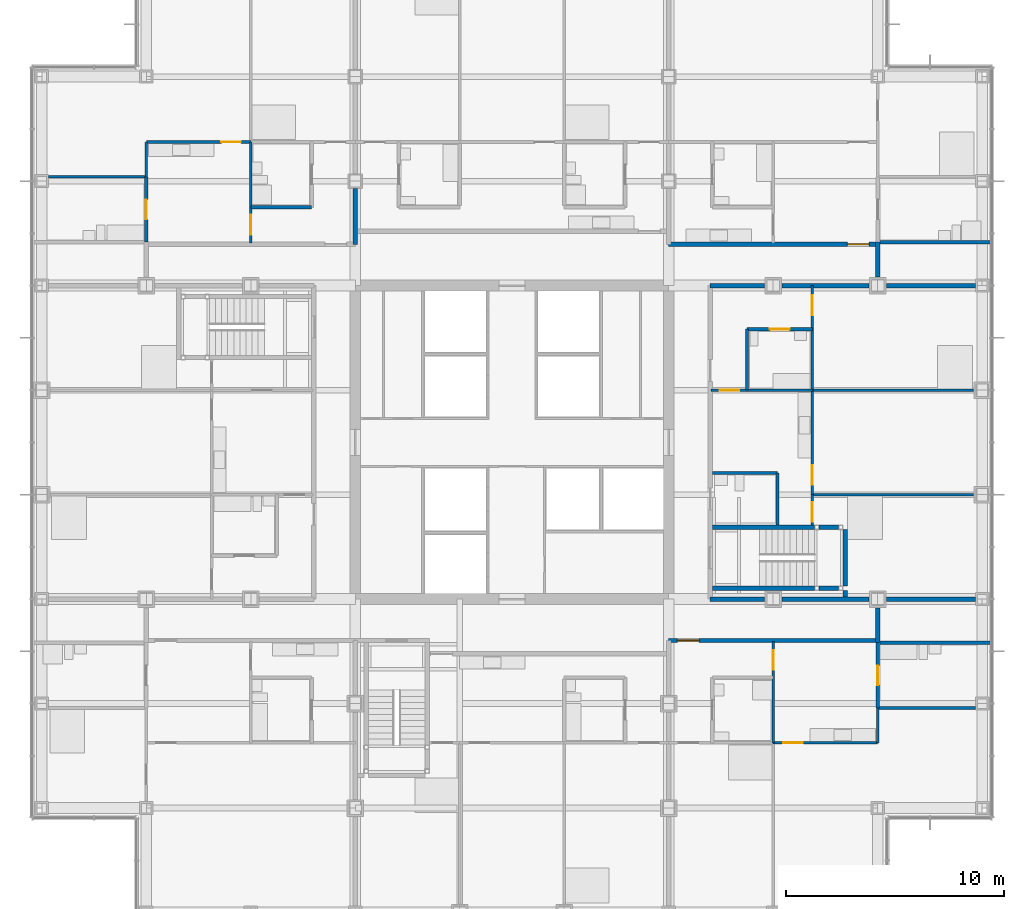
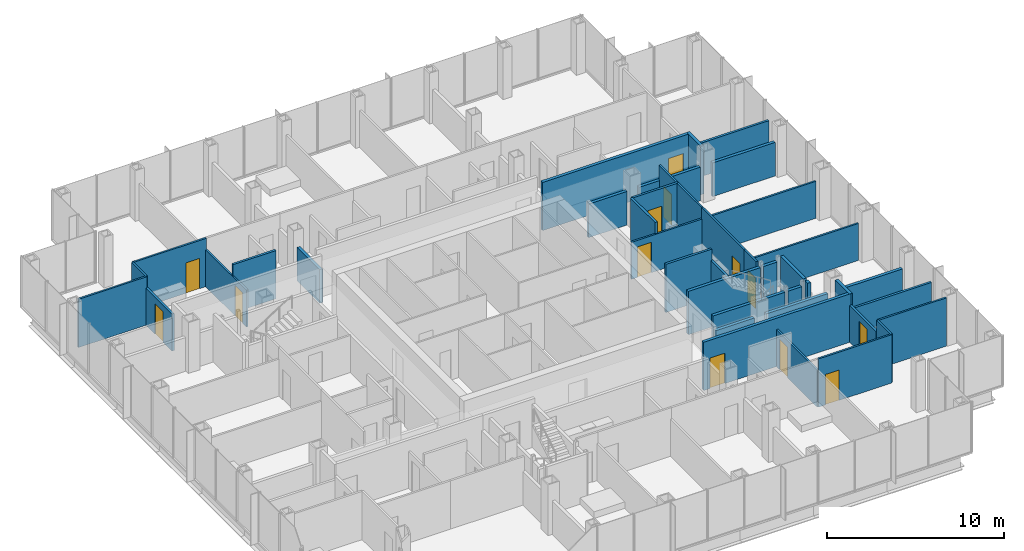
# One storey, part 16 of 21: 40 walls, 13 doors, 13 openings.
"""IFC4 building model written with IfcOpenShell, lengths in metres."""

from ifc_helpers import new_model, si_unit, direction, frame, frame_2d, origin, place, context, subcontext, project, spatial, rectangle, extrude, material, layer, layer_set, type_object, element, fill, save


model = new_model("IFC4")

# Units and contexts
model_context = context("Model", 3, precision=1e-05, world=origin(), true_north=direction((0.0, 1.0)))
body_context = subcontext(model_context, "Body", "Model", "MODEL_VIEW")
ifc_project = project(units=[si_unit("LENGTHUNIT", "METRE"), si_unit("AREAUNIT", "SQUARE_METRE"), si_unit("VOLUMEUNIT", "CUBIC_METRE"), si_unit("PLANEANGLEUNIT", "RADIAN"), si_unit("MASSUNIT", "GRAM", prefix="KILO")], contexts=[model_context])

# Site, building, storey
site_placement = place(None, origin())
site = spatial("IfcSite", under=ifc_project, at=site_placement, CompositionType="ELEMENT")
building_placement = place(site_placement, origin())
building = spatial("IfcBuilding", under=site, at=building_placement, Name="Kvirike Care Tower", CompositionType="ELEMENT")
storey_placement = place(building_placement, frame((0.0, 0.0, 62.0)))
storey = spatial("IfcBuildingStorey", under=building, at=storey_placement, Name="L16", CompositionType="ELEMENT", Elevation=62.0)

# Wall
ifc_material_1 = material(Name="Moisture-resistant board partition", Category="gypsum")
ifc_layer_1 = layer(ifc_material_1, 0.14990234375)
ifc_layer_set_1 = layer_set([ifc_layer_1], Name="BATHROOM WALL 150")
wall_type_1 = type_object("IfcWallType", Name="BATHROOM WALL 150", PredefinedType="PARTITIONING", material=ifc_layer_set_1)
wall_1_placement = place(storey_placement, frame((12.39990234375, 46.800048828125, 0.0), z_axis=(0.0, 0.0, 1.0), x_axis=(-1.0, 0.0, 0.0)))
element("IfcWall", 1, at=wall_1_placement, inside=storey, type_object=wall_type_1, Name="Bathroom Wall 150 L16", PredefinedType="PARTITIONING", context=body_context, shape_type="SweptSolid", body=[
    extrude(rectangle(XDim=2.7998046875, YDim=0.14990234375, at=frame_2d((1.39990234375, 0.0))), origin(), (0.0, 0.0, 1.0), 3.330078125),
])

# Wall, opening, door
wall_2_placement = place(storey_placement, frame((4.800048828125, 48.199951171875, 0.0), z_axis=(0.0, 0.0, 1.0), x_axis=(0.0, -1.0, 0.0)))
wall_2 = element("IfcWall", 2, at=wall_2_placement, inside=storey, type_object=wall_type_1, Name="Bathroom Wall 150 L16", PredefinedType="PARTITIONING", context=body_context, shape_type="SweptSolid", body=[
    extrude(rectangle(XDim=3.0, YDim=0.14990234375, at=frame_2d((1.5, 0.0))), origin(), (0.0, 0.0, 1.0), 2.550048828125),
])
opening_1_placement = place(wall_2_placement, frame((1.050048828125, 0.0, 0.0)))
opening_1 = element("IfcOpeningElement", 3, at=opening_1_placement, cuts=wall_2, Name="Opening 16-016", PredefinedType="OPENING", context=body_context, shape_type="SweptSolid", body=[
    extrude(rectangle(XDim=0.89990234375, YDim=2.10009765625, at=frame_2d((0.449951171875, 1.050048828125))), frame((0.0, 0.08544921875, 0.0), z_axis=(0.0, -1.0, 0.0), x_axis=(1.0, 0.0, 0.0)), (0.0, 0.0, 1.0), 0.1708984375),
])
ifc_material_2 = material(Name="Timber door set", Category="wood")
door_type_1 = type_object("IfcDoorType", Name="BATHROOM DOOR 900", OperationType="SINGLE_SWING_RIGHT", PredefinedType="DOOR", material=ifc_material_2)
door_1_placement = place(opening_1_placement, frame((0.89990234375, 0.0, 0.0), z_axis=(0.0, 0.0, 1.0), x_axis=(-1.0, 0.0, 0.0)))
door_1 = element("IfcDoor", 4, at=door_1_placement, inside=storey, type_object=door_type_1, Name="Bathroom door", OperationType="SINGLE_SWING_RIGHT", OverallHeight=2.10009765625, OverallWidth=0.89990234375, PredefinedType="DOOR", context=body_context, shape_type="SweptSolid", body=[
    extrude(rectangle(XDim=0.89990234375, YDim=2.10009765625, at=frame_2d((0.449951171875, 1.050048828125))), frame((0.0, 0.02197265625, 0.0), z_axis=(0.0, -1.0, 0.0), x_axis=(1.0, 0.0, 0.0)), (0.0, 0.0, 1.0), 0.0439453125),
])
fill(opening_1, door_1)

wall_3_placement = place(storey_placement, frame((38.39990234375, 23.800048828125, 0.0), z_axis=(0.0, 0.0, 1.0), x_axis=(0.0, 1.0, 0.0)))
wall_3 = element("IfcWall", 5, at=wall_3_placement, inside=storey, type_object=wall_type_1, Name="Bathroom Wall 150 L16", PredefinedType="PARTITIONING", context=body_context, shape_type="SweptSolid", body=[
    extrude(rectangle(XDim=3.0, YDim=0.14990234375, at=frame_2d((1.5, 0.0))), origin(), (0.0, 0.0, 1.0), 2.550048828125),
])
opening_2_placement = place(wall_3_placement, frame((1.050048828125, 0.0, 0.0)))
opening_2 = element("IfcOpeningElement", 6, at=opening_2_placement, cuts=wall_3, Name="Opening 16-034", PredefinedType="OPENING", context=body_context, shape_type="SweptSolid", body=[
    extrude(rectangle(XDim=0.89990234375, YDim=2.10009765625, at=frame_2d((0.449951171875, 1.050048828125))), frame((0.0, 0.08544921875, 0.0), z_axis=(0.0, -1.0, 0.0), x_axis=(1.0, 0.0, 0.0)), (0.0, 0.0, 1.0), 0.1708984375),
])
door_2_placement = place(opening_2_placement, frame((0.89990234375, 0.0, 0.0), z_axis=(0.0, 0.0, 1.0), x_axis=(-1.0, 0.0, 0.0)))
door_2 = element("IfcDoor", 7, at=door_2_placement, inside=storey, type_object=door_type_1, Name="Bathroom door", OperationType="SINGLE_SWING_RIGHT", OverallHeight=2.10009765625, OverallWidth=0.89990234375, PredefinedType="DOOR", context=body_context, shape_type="SweptSolid", body=[
    extrude(rectangle(XDim=0.89990234375, YDim=2.10009765625, at=frame_2d((0.449951171875, 1.050048828125))), frame((0.0, 0.02197265625, 0.0), z_axis=(0.0, -1.0, 0.0), x_axis=(1.0, 0.0, 0.0)), (0.0, 0.0, 1.0), 0.0439453125),
])
fill(opening_2, door_2)

# Walls
wall_4_placement = place(storey_placement, frame((33.800048828125, 32.199951171875, 0.0), z_axis=(0.0, 0.0, 1.0), x_axis=(0.0, 1.0, 0.0)))
element("IfcWall", 8, at=wall_4_placement, inside=storey, type_object=wall_type_1, Name="Bathroom Wall 150 L16", PredefinedType="PARTITIONING", context=body_context, shape_type="SweptSolid", body=[
    extrude(rectangle(XDim=2.400146484375, YDim=0.14990234375, at=frame_2d((1.2001953125, 0.0))), origin(), (0.0, 0.0, 1.0), 2.550048828125),
])
wall_5_placement = place(storey_placement, frame((33.800048828125, 34.60009765625, 0.0), z_axis=(0.0, 0.0, 1.0), x_axis=(-1.0, 0.0, 0.0)))
element("IfcWall", 9, at=wall_5_placement, inside=storey, type_object=wall_type_1, Name="Bathroom Wall 150 L16", PredefinedType="PARTITIONING", context=body_context, shape_type="SweptSolid", body=[
    extrude(rectangle(XDim=3.0, YDim=0.14990234375, at=frame_2d((1.5, 0.0))), origin(), (0.0, 0.0, 1.0), 3.330078125),
])

# Wall, opening, door
wall_6_placement = place(storey_placement, frame((35.39990234375, 41.199951171875, 0.0), z_axis=(0.0, 0.0, 1.0), x_axis=(-1.0, 0.0, 0.0)))
wall_6 = element("IfcWall", 10, at=wall_6_placement, inside=storey, type_object=wall_type_1, Name="Bathroom Wall 150 L16", PredefinedType="PARTITIONING", context=body_context, shape_type="SweptSolid", body=[
    extrude(rectangle(XDim=3.0, YDim=0.14990234375, at=frame_2d((1.5, 0.0))), origin(), (0.0, 0.0, 1.0), 3.330078125),
])
opening_3_placement = place(wall_6_placement, frame((1.050048828125, 0.0, 0.0)))
opening_3 = element("IfcOpeningElement", 11, at=opening_3_placement, cuts=wall_6, Name="Opening 16-039", PredefinedType="OPENING", context=body_context, shape_type="SweptSolid", body=[
    extrude(rectangle(XDim=0.89990234375, YDim=2.10009765625, at=frame_2d((0.449951171875, 1.050048828125))), frame((0.0, 0.08544921875, 0.0), z_axis=(0.0, -1.0, 0.0), x_axis=(1.0, 0.0, 0.0)), (0.0, 0.0, 1.0), 0.1708984375),
])
door_3_placement = place(opening_3_placement, origin())
door_3 = element("IfcDoor", 12, at=door_3_placement, inside=storey, type_object=door_type_1, Name="Bathroom door", OperationType="SINGLE_SWING_LEFT", OverallHeight=2.10009765625, OverallWidth=0.89990234375, PredefinedType="DOOR", context=body_context, shape_type="SweptSolid", body=[
    extrude(rectangle(XDim=0.89990234375, YDim=2.10009765625, at=frame_2d((0.449951171875, 1.050048828125))), frame((0.0, 0.02197265625, 0.0), z_axis=(0.0, -1.0, 0.0), x_axis=(1.0, 0.0, 0.0)), (0.0, 0.0, 1.0), 0.0439453125),
])
fill(opening_3, door_3)

# Walls
wall_7_placement = place(storey_placement, frame((32.39990234375, 38.39990234375, 0.0), z_axis=(0.0, 0.0, 1.0), x_axis=(0.0, 1.0, 0.0)))
element("IfcWall", 13, at=wall_7_placement, inside=storey, type_object=wall_type_1, Name="Bathroom Wall 150 L16", PredefinedType="PARTITIONING", context=body_context, shape_type="SweptSolid", body=[
    extrude(rectangle(XDim=2.800048828125, YDim=0.14990234375, at=frame_2d((1.39990234375, 0.0))), origin(), (0.0, 0.0, 1.0), 3.330078125),
])
for number, where, z_axis, x_axis, name in (
    (14, (38.5, 26.800048828125, 0.0), (0.0, 0.0, 1.0), (1.0, 0.0, 0.0), "Bathroom Wall 150 L16"),
    (15, (43.6298828125, 45.199951171875, 0.0), (0.0, 0.0, 1.0), (-1.0, 0.0, 0.0), "Bathroom Wall 150 L16"),
):
    element("IfcWall", number, at=place(storey_placement, frame(where, z_axis=z_axis, x_axis=x_axis)), inside=storey, type_object=wall_type_1, Name=name, PredefinedType="PARTITIONING", context=body_context, shape_type="SweptSolid", body=[
        extrude(rectangle(XDim=5.1298828125, YDim=0.14990234375, at=frame_2d((2.56494140625, 0.0))), origin(), (0.0, 0.0, 1.0), 2.320068359375),
    ])

# Wall, opening, door
ifc_material_3 = material(Name="Plasterboard corridor wall", Category="gypsum")
ifc_layer_2 = layer(ifc_material_3, 0.199951171875)
ifc_layer_set_2 = layer_set([ifc_layer_2], Name="CORRIDOR WALL 200")
wall_type_2 = type_object("IfcWallType", Name="CORRIDOR WALL 200", PredefinedType="PARTITIONING", material=ifc_layer_set_2)
wall_8_placement = place(storey_placement, frame((28.800048828125, 26.89990234375, 0.0), z_axis=(0.0, 0.0, 1.0), x_axis=(1.0, 0.0, 0.0)))
wall_8 = element("IfcWall", 16, at=wall_8_placement, inside=storey, type_object=wall_type_2, Name="Corridor Wall 200 L16", PredefinedType="PARTITIONING", context=body_context, shape_type="SweptSolid", body=[
    extrude(rectangle(XDim=9.599853515625, YDim=0.199951171875, at=frame_2d((4.7998046875, 0.0))), origin(), (0.0, 0.0, 1.0), 3.330078125),
])
opening_4_placement = place(wall_8_placement, frame((0.39990234375, 0.0, 0.0)))
opening_4 = element("IfcOpeningElement", 17, at=opening_4_placement, cuts=wall_8, Name="Opening 16-038", PredefinedType="OPENING", context=body_context, shape_type="SweptSolid", body=[
    extrude(rectangle(XDim=1.0, YDim=2.10009765625, at=frame_2d((0.5, 1.050048828125))), frame((0.0, 0.110595703125, 0.0), z_axis=(0.0, -1.0, 0.0), x_axis=(1.0, 0.0, 0.0)), (0.0, 0.0, 1.0), 0.220947265625),
])
ifc_material_4 = material(Name="Timber door set", Category="wood")
door_type_2 = type_object("IfcDoorType", Name="FLAT ENTRANCE DOOR 1000", OperationType="SINGLE_SWING_LEFT", PredefinedType="DOOR", material=ifc_material_4)
door_4_placement = place(opening_4_placement, frame((1.0, 0.0, 0.0), z_axis=(0.0, 0.0, 1.0), x_axis=(-1.0, 0.0, 0.0)))
door_4 = element("IfcDoor", 18, at=door_4_placement, inside=storey, type_object=door_type_2, Name="One-bedroom apartment entrance", OperationType="SINGLE_SWING_LEFT", OverallHeight=2.10009765625, OverallWidth=1.0, PredefinedType="DOOR", context=body_context, shape_type="SweptSolid", body=[
    extrude(rectangle(XDim=1.0, YDim=2.10009765625, at=frame_2d((0.5, 1.050048828125))), frame((0.0, 0.02685546875, 0.0), z_axis=(0.0, -1.0, 0.0), x_axis=(1.0, 0.0, 0.0)), (0.0, 0.0, 1.0), 0.053955078125),
])
fill(opening_4, door_4)

# Wall
wall_9_placement = place(storey_placement, frame((38.39990234375, 26.800048828125, 0.0), z_axis=(0.0, 0.0, 1.0), x_axis=(0.0, 1.0, 0.0)))
element("IfcWall", 19, at=wall_9_placement, inside=storey, type_object=wall_type_2, Name="Corridor Wall 200 L16", PredefinedType="PARTITIONING", context=body_context, shape_type="SweptSolid", body=[
    extrude(rectangle(XDim=1.60498046875, YDim=0.199951171875, at=frame_2d((0.802490234375, 0.0))), origin(), (0.0, 0.0, 1.0), 3.330078125),
])

# Wall, opening, door
wall_10_placement = place(storey_placement, frame((38.39990234375, 45.10009765625, 0.0), z_axis=(0.0, 0.0, 1.0), x_axis=(-1.0, 0.0, 0.0)))
wall_10 = element("IfcWall", 20, at=wall_10_placement, inside=storey, type_object=wall_type_2, Name="Corridor Wall 200 L16", PredefinedType="PARTITIONING", context=body_context, shape_type="SweptSolid", body=[
    extrude(rectangle(XDim=9.599853515625, YDim=0.199951171875, at=frame_2d((4.7998046875, 0.0))), origin(), (0.0, 0.0, 1.0), 3.330078125),
])
opening_5_placement = place(wall_10_placement, frame((0.39990234375, 0.0, 0.0)))
opening_5 = element("IfcOpeningElement", 21, at=opening_5_placement, cuts=wall_10, Name="Opening 16-052", PredefinedType="OPENING", context=body_context, shape_type="SweptSolid", body=[
    extrude(rectangle(XDim=1.0, YDim=2.10009765625, at=frame_2d((0.5, 1.050048828125))), frame((0.0, 0.110595703125, 0.0), z_axis=(0.0, -1.0, 0.0), x_axis=(1.0, 0.0, 0.0)), (0.0, 0.0, 1.0), 0.220947265625),
])
door_5_placement = place(opening_5_placement, frame((1.0, 0.0, 0.0), z_axis=(0.0, 0.0, 1.0), x_axis=(-1.0, 0.0, 0.0)))
door_5 = element("IfcDoor", 22, at=door_5_placement, inside=storey, type_object=door_type_2, Name="One-bedroom apartment entrance", OperationType="SINGLE_SWING_LEFT", OverallHeight=2.10009765625, OverallWidth=1.0, PredefinedType="DOOR", context=body_context, shape_type="SweptSolid", body=[
    extrude(rectangle(XDim=1.0, YDim=2.10009765625, at=frame_2d((0.5, 1.050048828125))), frame((0.0, 0.02685546875, 0.0), z_axis=(0.0, -1.0, 0.0), x_axis=(1.0, 0.0, 0.0)), (0.0, 0.0, 1.0), 0.053955078125),
])
fill(opening_5, door_5)

# Wall
wall_11_placement = place(storey_placement, frame((38.39990234375, 45.199951171875, 0.0), z_axis=(0.0, 0.0, 1.0), x_axis=(0.0, -1.0, 0.0)))
element("IfcWall", 23, at=wall_11_placement, inside=storey, type_object=wall_type_2, Name="Corridor Wall 200 L16", PredefinedType="PARTITIONING", context=body_context, shape_type="SweptSolid", body=[
    extrude(rectangle(XDim=1.60498046875, YDim=0.199951171875, at=frame_2d((0.802490234375, 0.0))), origin(), (0.0, 0.0, 1.0), 3.330078125),
])

# Wall, opening, door
ifc_material_5 = material(Name="Plasterboard partition", Category="gypsum")
ifc_layer_3 = layer(ifc_material_5, 0.1201171875)
ifc_layer_set_3 = layer_set([ifc_layer_3], Name="PARTITION 120")
wall_type_3 = type_object("IfcWallType", Name="PARTITION 120", PredefinedType="PARTITIONING", material=ifc_layer_set_3)
wall_12_placement = place(storey_placement, frame((9.60009765625, 49.800048828125, 0.0), z_axis=(0.0, 0.0, 1.0), x_axis=(0.0, -1.0, 0.0)))
wall_12 = element("IfcWall", 24, at=wall_12_placement, inside=storey, type_object=wall_type_3, Name="Partition 120 L16", PredefinedType="PARTITIONING", context=body_context, shape_type="SweptSolid", body=[
    extrude(rectangle(XDim=4.650146484375, YDim=0.1201171875, at=frame_2d((2.3251953125, 0.0))), origin(), (0.0, 0.0, 1.0), 2.550048828125),
])
opening_6_placement = place(wall_12_placement, frame((3.35009765625, 0.0, 0.0)))
opening_6 = element("IfcOpeningElement", 25, at=opening_6_placement, cuts=wall_12, Name="Opening 16-017", PredefinedType="OPENING", context=body_context, shape_type="SweptSolid", body=[
    extrude(rectangle(XDim=0.89990234375, YDim=2.10009765625, at=frame_2d((0.449951171875, 1.050048828125))), frame((0.0, 0.070556640625, 0.0), z_axis=(0.0, -1.0, 0.0), x_axis=(1.0, 0.0, 0.0)), (0.0, 0.0, 1.0), 0.14111328125),
])
ifc_material_6 = material(Name="Timber door set", Category="wood")
door_type_3 = type_object("IfcDoorType", Name="INTERNAL DOOR 900", OperationType="SINGLE_SWING_LEFT", PredefinedType="DOOR", material=ifc_material_6)
door_6_placement = place(opening_6_placement, origin())
door_6 = element("IfcDoor", 26, at=door_6_placement, inside=storey, type_object=door_type_3, Name="Hall door", OperationType="SINGLE_SWING_LEFT", OverallHeight=2.10009765625, OverallWidth=0.89990234375, PredefinedType="DOOR", context=body_context, shape_type="SweptSolid", body=[
    extrude(rectangle(XDim=0.89990234375, YDim=2.10009765625, at=frame_2d((0.449951171875, 1.050048828125))), frame((0.0, 0.02197265625, 0.0), z_axis=(0.0, -1.0, 0.0), x_axis=(1.0, 0.0, 0.0)), (0.0, 0.0, 1.0), 0.0439453125),
])
fill(opening_6, door_6)

wall_13_placement = place(storey_placement, frame((9.60009765625, 49.800048828125, 0.0), z_axis=(0.0, 0.0, 1.0), x_axis=(-1.0, 0.0, 0.0)))
wall_13 = element("IfcWall", 27, at=wall_13_placement, inside=storey, type_object=wall_type_3, Name="Partition 120 L16", PredefinedType="PARTITIONING", context=body_context, shape_type="SweptSolid", body=[
    extrude(rectangle(XDim=4.800048828125, YDim=0.1201171875, at=frame_2d((2.39990234375, 0.0))), origin(), (0.0, 0.0, 1.0), 3.330078125),
])
opening_7_placement = place(wall_13_placement, frame((0.449951171875, 0.0, 0.0)))
opening_7 = element("IfcOpeningElement", 28, at=opening_7_placement, cuts=wall_13, Name="Opening 16-019", PredefinedType="OPENING", context=body_context, shape_type="SweptSolid", body=[
    extrude(rectangle(XDim=0.89990234375, YDim=2.10009765625, at=frame_2d((0.449951171875, 1.050048828125))), frame((0.0, 0.070556640625, 0.0), z_axis=(0.0, -1.0, 0.0), x_axis=(1.0, 0.0, 0.0)), (0.0, 0.0, 1.0), 0.14111328125),
])
door_7_placement = place(opening_7_placement, origin())
door_7 = element("IfcDoor", 29, at=door_7_placement, inside=storey, type_object=door_type_3, Name="Apartment living and dining room door", OperationType="SINGLE_SWING_RIGHT", OverallHeight=2.10009765625, OverallWidth=0.89990234375, PredefinedType="DOOR", context=body_context, shape_type="SweptSolid", body=[
    extrude(rectangle(XDim=0.89990234375, YDim=2.10009765625, at=frame_2d((0.449951171875, 1.050048828125))), frame((0.0, 0.02197265625, 0.0), z_axis=(0.0, -1.0, 0.0), x_axis=(1.0, 0.0, 0.0)), (0.0, 0.0, 1.0), 0.0439453125),
])
fill(opening_7, door_7)

# Walls
wall_14_placement = place(storey_placement, frame((4.800048828125, 48.199951171875, 0.0), z_axis=(0.0, 0.0, 1.0), x_axis=(-1.0, 0.0, 0.0)))
element("IfcWall", 30, at=wall_14_placement, inside=storey, type_object=wall_type_3, Name="Partition 120 L16", PredefinedType="PARTITIONING", context=body_context, shape_type="SweptSolid", body=[
    extrude(rectangle(XDim=4.47998046875, YDim=0.1201171875, at=frame_2d((2.239990234375, 0.0))), origin(), (0.0, 0.0, 1.0), 3.330078125),
])
wall_15_placement = place(storey_placement, frame((4.800048828125, 49.800048828125, 0.0), z_axis=(0.0, 0.0, 1.0), x_axis=(0.0, -1.0, 0.0)))
element("IfcWall", 31, at=wall_15_placement, inside=storey, type_object=wall_type_3, Name="Partition 120 L16", PredefinedType="PARTITIONING", context=body_context, shape_type="SweptSolid", body=[
    extrude(rectangle(XDim=1.60009765625, YDim=0.1201171875, at=frame_2d((0.800048828125, 0.0))), origin(), (0.0, 0.0, 1.0), 3.330078125),
])

# Wall, opening, door
wall_16_placement = place(storey_placement, frame((33.60009765625, 22.199951171875, 0.0), z_axis=(0.0, 0.0, 1.0), x_axis=(0.0, 1.0, 0.0)))
wall_16 = element("IfcWall", 32, at=wall_16_placement, inside=storey, type_object=wall_type_3, Name="Partition 120 L16", PredefinedType="PARTITIONING", context=body_context, shape_type="SweptSolid", body=[
    extrude(rectangle(XDim=4.650146484375, YDim=0.1201171875, at=frame_2d((2.3251953125, 0.0))), origin(), (0.0, 0.0, 1.0), 2.550048828125),
])
opening_8_placement = place(wall_16_placement, frame((3.35009765625, 0.0, 0.0)))
opening_8 = element("IfcOpeningElement", 33, at=opening_8_placement, cuts=wall_16, Name="Opening 16-035", PredefinedType="OPENING", context=body_context, shape_type="SweptSolid", body=[
    extrude(rectangle(XDim=0.89990234375, YDim=2.10009765625, at=frame_2d((0.449951171875, 1.050048828125))), frame((0.0, 0.070556640625, 0.0), z_axis=(0.0, -1.0, 0.0), x_axis=(1.0, 0.0, 0.0)), (0.0, 0.0, 1.0), 0.14111328125),
])
door_8_placement = place(opening_8_placement, origin())
door_8 = element("IfcDoor", 34, at=door_8_placement, inside=storey, type_object=door_type_3, Name="Hall door", OperationType="SINGLE_SWING_LEFT", OverallHeight=2.10009765625, OverallWidth=0.89990234375, PredefinedType="DOOR", context=body_context, shape_type="SweptSolid", body=[
    extrude(rectangle(XDim=0.89990234375, YDim=2.10009765625, at=frame_2d((0.449951171875, 1.050048828125))), frame((0.0, 0.02197265625, 0.0), z_axis=(0.0, -1.0, 0.0), x_axis=(1.0, 0.0, 0.0)), (0.0, 0.0, 1.0), 0.0439453125),
])
fill(opening_8, door_8)

wall_17_placement = place(storey_placement, frame((33.60009765625, 22.199951171875, 0.0), z_axis=(0.0, 0.0, 1.0), x_axis=(1.0, 0.0, 0.0)))
wall_17 = element("IfcWall", 35, at=wall_17_placement, inside=storey, type_object=wall_type_3, Name="Partition 120 L16", PredefinedType="PARTITIONING", context=body_context, shape_type="SweptSolid", body=[
    extrude(rectangle(XDim=4.7998046875, YDim=0.1201171875, at=frame_2d((2.39990234375, 0.0))), origin(), (0.0, 0.0, 1.0), 3.330078125),
])
opening_9_placement = place(wall_17_placement, frame((0.449951171875, 0.0, 0.0)))
opening_9 = element("IfcOpeningElement", 36, at=opening_9_placement, cuts=wall_17, Name="Opening 16-037", PredefinedType="OPENING", context=body_context, shape_type="SweptSolid", body=[
    extrude(rectangle(XDim=0.89990234375, YDim=2.10009765625, at=frame_2d((0.449951171875, 1.050048828125))), frame((0.0, 0.070556640625, 0.0), z_axis=(0.0, -1.0, 0.0), x_axis=(1.0, 0.0, 0.0)), (0.0, 0.0, 1.0), 0.14111328125),
])
door_9_placement = place(opening_9_placement, origin())
door_9 = element("IfcDoor", 37, at=door_9_placement, inside=storey, type_object=door_type_3, Name="Apartment living and dining room door", OperationType="SINGLE_SWING_RIGHT", OverallHeight=2.10009765625, OverallWidth=0.89990234375, PredefinedType="DOOR", context=body_context, shape_type="SweptSolid", body=[
    extrude(rectangle(XDim=0.89990234375, YDim=2.10009765625, at=frame_2d((0.449951171875, 1.050048828125))), frame((0.0, 0.02197265625, 0.0), z_axis=(0.0, -1.0, 0.0), x_axis=(1.0, 0.0, 0.0)), (0.0, 0.0, 1.0), 0.0439453125),
])
fill(opening_9, door_9)

# Walls
wall_18_placement = place(storey_placement, frame((38.39990234375, 23.800048828125, 0.0), z_axis=(0.0, 0.0, 1.0), x_axis=(1.0, 0.0, 0.0)))
element("IfcWall", 38, at=wall_18_placement, inside=storey, type_object=wall_type_3, Name="Partition 120 L16", PredefinedType="PARTITIONING", context=body_context, shape_type="SweptSolid", body=[
    extrude(rectangle(XDim=4.47998046875, YDim=0.1201171875, at=frame_2d((2.239990234375, 0.0))), origin(), (0.0, 0.0, 1.0), 3.330078125),
])
wall_19_placement = place(storey_placement, frame((38.39990234375, 22.199951171875, 0.0), z_axis=(0.0, 0.0, 1.0), x_axis=(0.0, 1.0, 0.0)))
element("IfcWall", 39, at=wall_19_placement, inside=storey, type_object=wall_type_3, Name="Partition 120 L16", PredefinedType="PARTITIONING", context=body_context, shape_type="SweptSolid", body=[
    extrude(rectangle(XDim=1.60009765625, YDim=0.1201171875, at=frame_2d((0.800048828125, 0.0))), origin(), (0.0, 0.0, 1.0), 3.330078125),
])

# Wall, opening, door
wall_20_placement = place(storey_placement, frame((35.39990234375, 38.39990234375, 0.0), z_axis=(0.0, 0.0, 1.0), x_axis=(-1.0, 0.0, 0.0)))
wall_20 = element("IfcWall", 40, at=wall_20_placement, inside=storey, type_object=wall_type_3, Name="Partition 120 L16", PredefinedType="PARTITIONING", context=body_context, shape_type="SweptSolid", body=[
    extrude(rectangle(XDim=4.64990234375, YDim=0.1201171875, at=frame_2d((2.324951171875, 0.0))), origin(), (0.0, 0.0, 1.0), 2.550048828125),
])
opening_10_placement = place(wall_20_placement, frame((3.35009765625, 0.0, 0.0)))
opening_10 = element("IfcOpeningElement", 41, at=opening_10_placement, cuts=wall_20, Name="Opening 16-040", PredefinedType="OPENING", context=body_context, shape_type="SweptSolid", body=[
    extrude(rectangle(XDim=0.89990234375, YDim=2.10009765625, at=frame_2d((0.449951171875, 1.050048828125))), frame((0.0, 0.070556640625, 0.0), z_axis=(0.0, -1.0, 0.0), x_axis=(1.0, 0.0, 0.0)), (0.0, 0.0, 1.0), 0.14111328125),
])
door_10_placement = place(opening_10_placement, origin())
door_10 = element("IfcDoor", 42, at=door_10_placement, inside=storey, type_object=door_type_3, Name="Hall door", OperationType="SINGLE_SWING_LEFT", OverallHeight=2.10009765625, OverallWidth=0.89990234375, PredefinedType="DOOR", context=body_context, shape_type="SweptSolid", body=[
    extrude(rectangle(XDim=0.89990234375, YDim=2.10009765625, at=frame_2d((0.449951171875, 1.050048828125))), frame((0.0, 0.02197265625, 0.0), z_axis=(0.0, -1.0, 0.0), x_axis=(1.0, 0.0, 0.0)), (0.0, 0.0, 1.0), 0.0439453125),
])
fill(opening_10, door_10)

wall_21_placement = place(storey_placement, frame((35.39990234375, 32.199951171875, 0.0), z_axis=(0.0, 0.0, 1.0), x_axis=(0.0, 1.0, 0.0)))
wall_21 = element("IfcWall", 43, at=wall_21_placement, inside=storey, type_object=wall_type_3, Name="Partition 120 L16", PredefinedType="PARTITIONING", context=body_context, shape_type="SweptSolid", body=[
    extrude(rectangle(XDim=1.400146484375, YDim=0.1201171875, at=frame_2d((0.7001953125, 0.0))), origin(), (0.0, 0.0, 1.0), 3.330078125),
])
opening_11_placement = place(wall_21_placement, frame((0.14990234375, 0.0, 0.0)))
opening_11 = element("IfcOpeningElement", 44, at=opening_11_placement, cuts=wall_21, Name="Opening 16-041", PredefinedType="OPENING", context=body_context, shape_type="SweptSolid", body=[
    extrude(rectangle(XDim=0.89990234375, YDim=2.10009765625, at=frame_2d((0.449951171875, 1.050048828125))), frame((0.0, 0.070556640625, 0.0), z_axis=(0.0, -1.0, 0.0), x_axis=(1.0, 0.0, 0.0)), (0.0, 0.0, 1.0), 0.14111328125),
])
door_11_placement = place(opening_11_placement, origin())
door_11 = element("IfcDoor", 45, at=door_11_placement, inside=storey, type_object=door_type_3, Name="Apartment bedroom door", OperationType="SINGLE_SWING_RIGHT", OverallHeight=2.10009765625, OverallWidth=0.89990234375, PredefinedType="DOOR", context=body_context, shape_type="SweptSolid", body=[
    extrude(rectangle(XDim=0.89990234375, YDim=2.10009765625, at=frame_2d((0.449951171875, 1.050048828125))), frame((0.0, 0.02197265625, 0.0), z_axis=(0.0, -1.0, 0.0), x_axis=(1.0, 0.0, 0.0)), (0.0, 0.0, 1.0), 0.0439453125),
])
fill(opening_11, door_11)

wall_22_placement = place(storey_placement, frame((35.39990234375, 33.60009765625, 0.0), z_axis=(0.0, 0.0, 1.0), x_axis=(0.0, 1.0, 0.0)))
wall_22 = element("IfcWall", 46, at=wall_22_placement, inside=storey, type_object=wall_type_3, Name="Partition 120 L16", PredefinedType="PARTITIONING", context=body_context, shape_type="SweptSolid", body=[
    extrude(rectangle(XDim=4.7998046875, YDim=0.1201171875, at=frame_2d((2.39990234375, 0.0))), origin(), (0.0, 0.0, 1.0), 3.330078125),
])
opening_12_placement = place(wall_22_placement, frame((0.449951171875, 0.0, 0.0)))
opening_12 = element("IfcOpeningElement", 47, at=opening_12_placement, cuts=wall_22, Name="Opening 16-042", PredefinedType="OPENING", context=body_context, shape_type="SweptSolid", body=[
    extrude(rectangle(XDim=0.89990234375, YDim=2.10009765625, at=frame_2d((0.449951171875, 1.050048828125))), frame((0.0, 0.070556640625, 0.0), z_axis=(0.0, -1.0, 0.0), x_axis=(1.0, 0.0, 0.0)), (0.0, 0.0, 1.0), 0.14111328125),
])
door_12_placement = place(opening_12_placement, origin())
door_12 = element("IfcDoor", 48, at=door_12_placement, inside=storey, type_object=door_type_3, Name="Apartment living room door", OperationType="SINGLE_SWING_RIGHT", OverallHeight=2.10009765625, OverallWidth=0.89990234375, PredefinedType="DOOR", context=body_context, shape_type="SweptSolid", body=[
    extrude(rectangle(XDim=0.89990234375, YDim=2.10009765625, at=frame_2d((0.449951171875, 1.050048828125))), frame((0.0, 0.02197265625, 0.0), z_axis=(0.0, -1.0, 0.0), x_axis=(1.0, 0.0, 0.0)), (0.0, 0.0, 1.0), 0.0439453125),
])
fill(opening_12, door_12)

wall_23_placement = place(storey_placement, frame((35.39990234375, 38.39990234375, 0.0), z_axis=(0.0, 0.0, 1.0), x_axis=(0.0, 1.0, 0.0)))
wall_23 = element("IfcWall", 49, at=wall_23_placement, inside=storey, type_object=wall_type_3, Name="Partition 120 L16", PredefinedType="PARTITIONING", context=body_context, shape_type="SweptSolid", body=[
    extrude(rectangle(XDim=4.800048828125, YDim=0.1201171875, at=frame_2d((2.39990234375, 0.0))), origin(), (0.0, 0.0, 1.0), 3.330078125),
])
opening_13_placement = place(wall_23_placement, frame((3.449951171875, 0.0, 0.0)))
opening_13 = element("IfcOpeningElement", 50, at=opening_13_placement, cuts=wall_23, Name="Opening 16-043", PredefinedType="OPENING", context=body_context, shape_type="SweptSolid", body=[
    extrude(rectangle(XDim=0.89990234375, YDim=2.10009765625, at=frame_2d((0.449951171875, 1.050048828125))), frame((0.0, 0.070556640625, 0.0), z_axis=(0.0, -1.0, 0.0), x_axis=(1.0, 0.0, 0.0)), (0.0, 0.0, 1.0), 0.14111328125),
])
door_13_placement = place(opening_13_placement, origin())
door_13 = element("IfcDoor", 51, at=door_13_placement, inside=storey, type_object=door_type_3, Name="Apartment bedroom door", OperationType="SINGLE_SWING_LEFT", OverallHeight=2.10009765625, OverallWidth=0.89990234375, PredefinedType="DOOR", context=body_context, shape_type="SweptSolid", body=[
    extrude(rectangle(XDim=0.89990234375, YDim=2.10009765625, at=frame_2d((0.449951171875, 1.050048828125))), frame((0.0, 0.02197265625, 0.0), z_axis=(0.0, -1.0, 0.0), x_axis=(1.0, 0.0, 0.0)), (0.0, 0.0, 1.0), 0.0439453125),
])
fill(opening_13, door_13)

# Walls
for number, where, z_axis, x_axis, name in (
    (52, (42.804931640625, 33.60009765625, 0.0), (0.0, 0.0, 1.0), (-1.0, 0.0, 0.0), "Partition 120 L16"),
    (53, (42.804931640625, 38.39990234375, 0.0), (0.0, 0.0, 1.0), (-1.0, 0.0, 0.0), "Partition 120 L16"),
):
    element("IfcWall", number, at=place(storey_placement, frame(where, z_axis=z_axis, x_axis=x_axis)), inside=storey, type_object=wall_type_3, Name=name, PredefinedType="PARTITIONING", context=body_context, shape_type="SweptSolid", body=[
        extrude(rectangle(XDim=7.405029296875, YDim=0.1201171875, at=frame_2d((3.70263671875, 0.0))), origin(), (0.0, 0.0, 1.0), 2.550048828125),
    ])
ifc_material_7 = material(Name="Plasterboard party wall", Category="gypsum")
ifc_layer_4 = layer(ifc_material_7, 0.199951171875)
ifc_layer_set_4 = layer_set([ifc_layer_4], Name="PARTY WALL 200")
wall_type_4 = type_object("IfcWallType", Name="PARTY WALL 200", PredefinedType="PARTITIONING", material=ifc_layer_set_4)
wall_24_placement = place(storey_placement, frame((14.39990234375, 45.10009765625, 0.0), z_axis=(0.0, 0.0, 1.0), x_axis=(0.0, 1.0, 0.0)))
element("IfcWall", 54, at=wall_24_placement, inside=storey, type_object=wall_type_4, Name="Party Wall 200 L16", PredefinedType="PARTITIONING", context=body_context, shape_type="SweptSolid", body=[
    extrude(rectangle(XDim=2.554931640625, YDim=0.199951171875, at=frame_2d((1.27734375, 0.0))), origin(), (0.0, 0.0, 1.0), 2.320068359375),
])
wall_25_placement = place(storey_placement, frame((42.8798828125, 28.800048828125, 0.0), z_axis=(0.0, 0.0, 1.0), x_axis=(-1.0, 0.0, 0.0)))
element("IfcWall", 55, at=wall_25_placement, inside=storey, type_object=wall_type_4, Name="Party Wall 200 L16", PredefinedType="PARTITIONING", context=body_context, shape_type="SweptSolid", body=[
    extrude(rectangle(XDim=4.0849609375, YDim=0.199951171875, at=frame_2d((2.04248046875, 0.0))), origin(), (0.0, 0.0, 1.0), 2.320068359375),
])
wall_26_placement = place(storey_placement, frame((38.0048828125, 28.800048828125, 0.0), z_axis=(0.0, 0.0, 1.0), x_axis=(-1.0, 0.0, 0.0)))
element("IfcWall", 56, at=wall_26_placement, inside=storey, type_object=wall_type_4, Name="Party Wall 200 L16", PredefinedType="PARTITIONING", context=body_context, shape_type="SweptSolid", body=[
    extrude(rectangle(XDim=4.009765625, YDim=0.199951171875, at=frame_2d((2.0048828125, 0.0))), origin(), (0.0, 0.0, 1.0), 2.320068359375),
])
wall_27_placement = place(storey_placement, frame((33.205078125, 28.800048828125, 0.0), z_axis=(0.0, 0.0, 1.0), x_axis=(-1.0, 0.0, 0.0)))
element("IfcWall", 57, at=wall_27_placement, inside=storey, type_object=wall_type_4, Name="Party Wall 200 L16", PredefinedType="PARTITIONING", context=body_context, shape_type="SweptSolid", body=[
    extrude(rectangle(XDim=2.505126953125, YDim=0.199951171875, at=frame_2d((1.25244140625, 0.0))), origin(), (0.0, 0.0, 1.0), 2.320068359375),
])
wall_28_placement = place(storey_placement, frame((42.8798828125, 43.199951171875, 0.0), z_axis=(0.0, 0.0, 1.0), x_axis=(-1.0, 0.0, 0.0)))
element("IfcWall", 58, at=wall_28_placement, inside=storey, type_object=wall_type_4, Name="Party Wall 200 L16", PredefinedType="PARTITIONING", context=body_context, shape_type="SweptSolid", body=[
    extrude(rectangle(XDim=4.0849609375, YDim=0.199951171875, at=frame_2d((2.04248046875, 0.0))), origin(), (0.0, 0.0, 1.0), 2.320068359375),
])
wall_29_placement = place(storey_placement, frame((38.0048828125, 43.199951171875, 0.0), z_axis=(0.0, 0.0, 1.0), x_axis=(-1.0, 0.0, 0.0)))
element("IfcWall", 59, at=wall_29_placement, inside=storey, type_object=wall_type_4, Name="Party Wall 200 L16", PredefinedType="PARTITIONING", context=body_context, shape_type="SweptSolid", body=[
    extrude(rectangle(XDim=4.009765625, YDim=0.199951171875, at=frame_2d((2.0048828125, 0.0))), origin(), (0.0, 0.0, 1.0), 2.320068359375),
])
wall_30_placement = place(storey_placement, frame((33.205078125, 43.199951171875, 0.0), z_axis=(0.0, 0.0, 1.0), x_axis=(-1.0, 0.0, 0.0)))
element("IfcWall", 60, at=wall_30_placement, inside=storey, type_object=wall_type_4, Name="Party Wall 200 L16", PredefinedType="PARTITIONING", context=body_context, shape_type="SweptSolid", body=[
    extrude(rectangle(XDim=2.505126953125, YDim=0.199951171875, at=frame_2d((1.25244140625, 0.0))), origin(), (0.0, 0.0, 1.0), 2.320068359375),
])
ifc_material_8 = material(Name="Concrete C40/50", Category="concrete")
ifc_layer_5 = layer(ifc_material_8, 0.199951171875)
ifc_layer_set_5 = layer_set([ifc_layer_5], Name="STAIR WALL 200")
wall_type_5 = type_object("IfcWallType", Name="STAIR WALL 200", PredefinedType="SOLIDWALL", material=ifc_layer_set_5)
wall_31_placement = place(storey_placement, frame((36.60009765625, 29.300048828125, 0.0), z_axis=(0.0, 0.0, 1.0), x_axis=(-1.0, 0.0, 0.0)))
element("IfcWall", 61, at=wall_31_placement, inside=storey, type_object=wall_type_5, Name="Stair Wall 200 L16", PredefinedType="SOLIDWALL", context=body_context, shape_type="SweptSolid", body=[
    extrude(rectangle(XDim=0.900146484375, YDim=0.199951171875, at=frame_2d((0.4501953125, 0.0))), origin(), (0.0, 0.0, 1.0), 2.989990234375),
])
wall_32_placement = place(storey_placement, frame((35.5, 29.300048828125, 0.0), z_axis=(0.0, 0.0, 1.0), x_axis=(-1.0, 0.0, 0.0)))
element("IfcWall", 62, at=wall_32_placement, inside=storey, type_object=wall_type_5, Name="Stair Wall 200 L16", PredefinedType="SOLIDWALL", context=body_context, shape_type="SweptSolid", body=[
    extrude(rectangle(XDim=4.699951171875, YDim=0.199951171875, at=frame_2d((2.35009765625, 0.0))), origin(), (0.0, 0.0, 1.0), 2.989990234375),
])
wall_33_placement = place(storey_placement, frame((36.60009765625, 32.10009765625, 0.0), z_axis=(0.0, 0.0, 1.0), x_axis=(-1.0, 0.0, 0.0)))
element("IfcWall", 63, at=wall_33_placement, inside=storey, type_object=wall_type_5, Name="Stair Wall 200 L16", PredefinedType="SOLIDWALL", context=body_context, shape_type="SweptSolid", body=[
    extrude(rectangle(XDim=0.900146484375, YDim=0.199951171875, at=frame_2d((0.4501953125, 0.0))), origin(), (0.0, 0.0, 1.0), 2.989990234375),
])
wall_34_placement = place(storey_placement, frame((35.5, 32.10009765625, 0.0), z_axis=(0.0, 0.0, 1.0), x_axis=(-1.0, 0.0, 0.0)))
element("IfcWall", 64, at=wall_34_placement, inside=storey, type_object=wall_type_5, Name="Stair Wall 200 L16", PredefinedType="SOLIDWALL", context=body_context, shape_type="SweptSolid", body=[
    extrude(rectangle(XDim=4.699951171875, YDim=0.199951171875, at=frame_2d((2.35009765625, 0.0))), origin(), (0.0, 0.0, 1.0), 2.989990234375),
])
wall_35_placement = place(storey_placement, frame((36.89990234375, 28.89990234375, 0.0), z_axis=(0.0, 0.0, 1.0), x_axis=(0.0, 1.0, 0.0)))
element("IfcWall", 65, at=wall_35_placement, inside=storey, type_object=wall_type_5, Name="Stair Wall 200 L16", PredefinedType="SOLIDWALL", context=body_context, shape_type="SweptSolid", body=[
    extrude(rectangle(XDim=0.300048828125, YDim=0.199951171875, at=frame_2d((0.14990234375, 0.0))), origin(), (0.0, 0.0, 1.0), 3.330078125),
])
wall_36_placement = place(storey_placement, frame((36.89990234375, 29.39990234375, 0.0), z_axis=(0.0, 0.0, 1.0), x_axis=(0.0, 1.0, 0.0)))
element("IfcWall", 66, at=wall_36_placement, inside=storey, type_object=wall_type_5, Name="Stair Wall 200 L16", PredefinedType="SOLIDWALL", context=body_context, shape_type="SweptSolid", body=[
    extrude(rectangle(XDim=2.60009765625, YDim=0.199951171875, at=frame_2d((1.300048828125, 0.0))), origin(), (0.0, 0.0, 1.0), 3.330078125),
])

save(model, "model.ifc")
